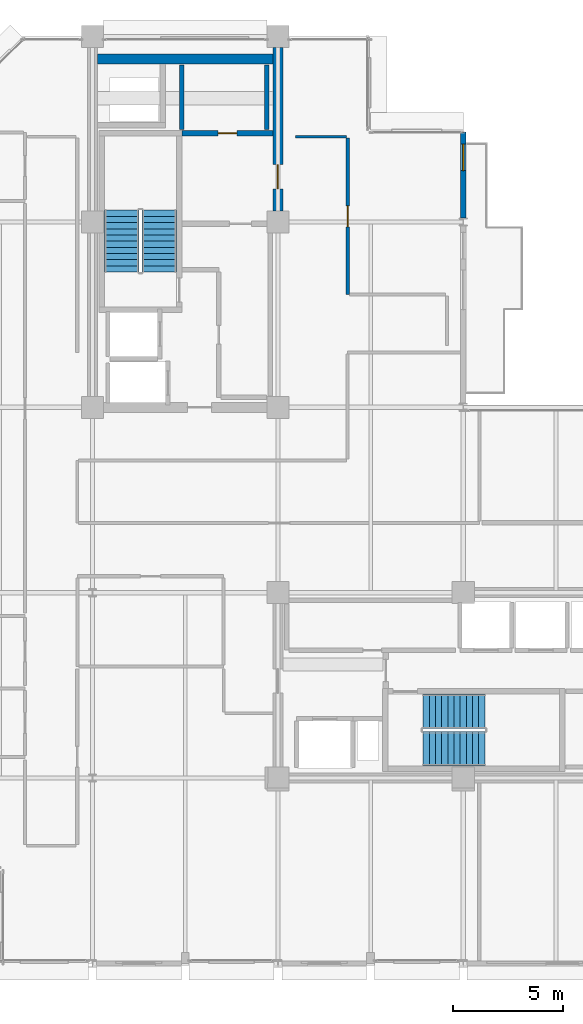
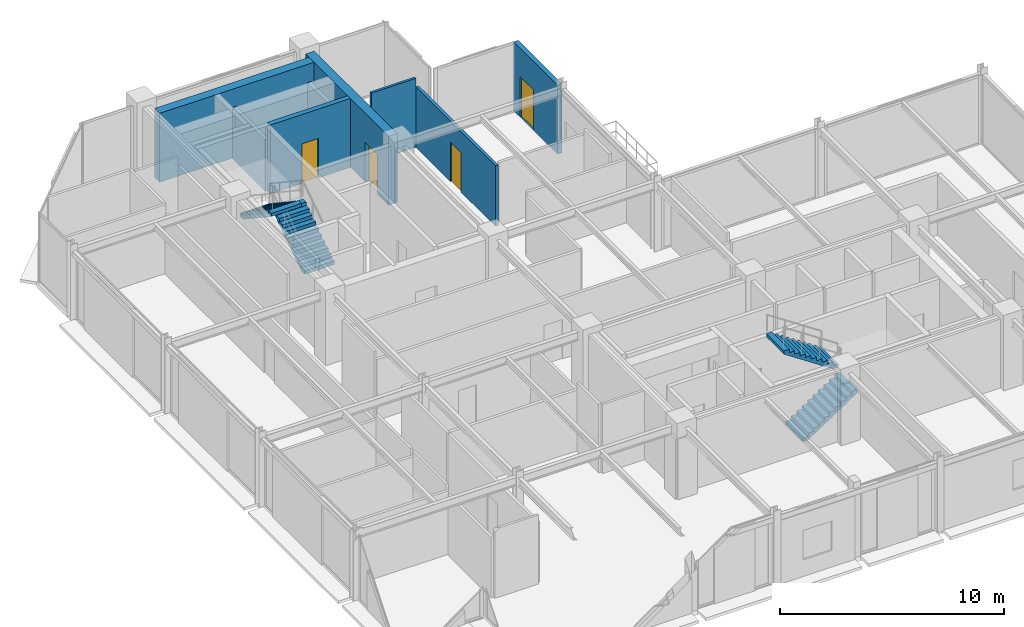
# One storey, part 22 of 26: 8 walls, 4 doors, 4 stair flights, 4 openings, 2 elements without a shape of their own.
"""IFC4 building model written with IfcOpenShell, lengths in metres."""

from ifc_helpers import new_model, si_unit, direction, frame, frame_2d, origin, place, context, subcontext, project, spatial, polyline, rectangle, outline, extrude, material, layer, layer_set, type_object, element, fill, aggregate, save


model = new_model("IFC4")

# Units and contexts
model_context = context("Model", 3, precision=1e-05, world=origin(), true_north=direction((0.0, 1.0)))
body_context = subcontext(model_context, "Body", "Model", "MODEL_VIEW")
ifc_project = project(units=[si_unit("LENGTHUNIT", "METRE"), si_unit("AREAUNIT", "SQUARE_METRE"), si_unit("VOLUMEUNIT", "CUBIC_METRE"), si_unit("PLANEANGLEUNIT", "RADIAN"), si_unit("MASSUNIT", "GRAM", prefix="KILO")], contexts=[model_context])

# Site, building, storey
site_placement = place(None, origin())
site = spatial("IfcSite", under=ifc_project, at=site_placement, CompositionType="ELEMENT")
building_placement = place(site_placement, origin())
building = spatial("IfcBuilding", under=site, at=building_placement, Name="Nerrivon Quay Data Exchange", CompositionType="ELEMENT")
storey_placement = place(building_placement, frame((0.0, 0.0, 241.10009765625)))
storey = spatial("IfcBuildingStorey", under=building, at=storey_placement, Name="L57", CompositionType="ELEMENT", Elevation=241.10009765625)

# Wall, opening, door
ifc_material_1 = material(Name="Architectural terracotta precast concrete N50 (50 MPa)", Category="masonry")
ifc_layer_1 = layer(ifc_material_1, 0.239990234375)
ifc_layer_set_1 = layer_set([ifc_layer_1], Name="Architectural terracotta precast concrete N50 (50 MPa)")
wall_type_1 = type_object("IfcWallType", Name="EW-PREC-240", PredefinedType="STANDARD", material=ifc_layer_set_1)
wall_1_placement = place(storey_placement, frame((25.199951171875, 37.679931640625, 0.0), z_axis=(0.0, 0.0, 1.0), x_axis=(0.0, -1.0, 0.0)))
wall_1 = element("IfcWall", 1, at=wall_1_placement, inside=storey, type_object=wall_type_1, Name="L57 Terrace Host Wall 22", PredefinedType="STANDARD", context=body_context, shape_type="SweptSolid", body=[
    extrude(rectangle(XDim=3.905029296875, YDim=0.239990234375, at=frame_2d((1.95263671875, 0.0))), origin(), (0.0, 0.0, 1.0), 3.75),
])
opening_1_placement = place(wall_1_placement, frame((0.550048828125, 0.0, 0.0)))
opening_1 = element("IfcOpeningElement", 2, at=opening_1_placement, cuts=wall_1, Name="Opening TD1", PredefinedType="OPENING", context=body_context, shape_type="SweptSolid", body=[
    extrude(rectangle(XDim=1.199951171875, YDim=2.199951171875, at=frame_2d((0.60009765625, 1.10009765625))), frame((0.0, 0.1298828125, 0.0), z_axis=(0.0, -1.0, 0.0), x_axis=(1.0, 0.0, 0.0)), (0.0, 0.0, 1.0), 0.260009765625),
])
ifc_material_2 = material(Name="Double-glazed low-E solar control glass", Category="glass")
door_type_1 = type_object("IfcDoorType", Name="DR-TERR-1200x2200", OperationType="NOTDEFINED", PredefinedType="DOOR", material=ifc_material_2)
door_1_placement = place(opening_1_placement, origin())
door_1 = element("IfcDoor", 3, at=door_1_placement, inside=storey, type_object=door_type_1, Name="L57 Outdoor Terrace Access Door 22", OperationType="SINGLE_SWING_LEFT", OverallHeight=2.199951171875, OverallWidth=1.199951171875, PredefinedType="DOOR", context=body_context, shape_type="SweptSolid", body=[
    extrude(rectangle(XDim=1.199951171875, YDim=2.199951171875, at=frame_2d((0.60009765625, 1.10009765625))), frame((0.0, 0.02490234375, 0.0), z_axis=(0.0, -1.0, 0.0), x_axis=(1.0, 0.0, 0.0)), (0.0, 0.0, 1.0), 0.050048828125),
])
fill(opening_1, door_1)

# Wall
ifc_material_3 = material(Name="Concrete N50 (50 MPa)", Category="concrete")
ifc_layer_2 = layer(ifc_material_3, 0.449951171875)
ifc_layer_set_2 = layer_set([ifc_layer_2], Name="Concrete N50 (50 MPa)")
wall_type_2 = type_object("IfcWallType", Name="WALL-CW-550", PredefinedType="SHEAR", material=ifc_layer_set_2)
wall_2_placement = place(storey_placement, frame((8.625, 40.97509765625, 0.0), z_axis=(0.0, 0.0, 1.0), x_axis=(1.0, 0.0, 0.0)))
element("IfcWall", 4, at=wall_2_placement, inside=storey, type_object=wall_type_2, Name="L57 West Split-Core Shear Wall WCW-N1", PredefinedType="SHEAR", context=body_context, shape_type="SweptSolid", body=[
    extrude(rectangle(XDim=7.949951171875, YDim=0.449951171875, at=frame_2d((3.97509765625, 0.0))), origin(), (0.0, 0.0, 1.0), 3.75),
])

# Wall, opening, door
wall_3_placement = place(storey_placement, frame((16.800048828125, 34.10009765625, 0.0), z_axis=(0.0, 0.0, 1.0), x_axis=(0.0, 1.0, 0.0)))
wall_3 = element("IfcWall", 5, at=wall_3_placement, inside=storey, type_object=wall_type_2, Name="L57 West Split-Core Shear Wall WCW-E1", PredefinedType="SHEAR", context=body_context, shape_type="SweptSolid", body=[
    extrude(rectangle(XDim=7.39990234375, YDim=0.449951171875, at=frame_2d((3.699951171875, 0.0))), origin(), (0.0, 0.0, 1.0), 3.75),
])
opening_2_placement = place(wall_3_placement, frame((1.0, 0.0, 0.0)))
opening_2 = element("IfcOpeningElement", 6, at=opening_2_placement, cuts=wall_3, Name="Opening FD-120", PredefinedType="OPENING", context=body_context, shape_type="SweptSolid", body=[
    extrude(rectangle(XDim=1.10009765625, YDim=2.14990234375, at=frame_2d((0.550048828125, 1.074951171875))), frame((0.0, 0.23486328125, 0.0), z_axis=(0.0, -1.0, 0.0), x_axis=(1.0, 0.0, 0.0)), (0.0, 0.0, 1.0), 0.469970703125),
])
ifc_material_4 = material(Name="Powder-coated galvanized steel sheet", Category="steel")
door_type_2 = type_object("IfcDoorType", Name="DR-FD120-1100", OperationType="NOTDEFINED", PredefinedType="DOOR", material=ifc_material_4)
door_2_placement = place(opening_2_placement, origin())
door_2 = element("IfcDoor", 7, at=door_2_placement, inside=storey, type_object=door_type_2, Name="L57 West Core Lobby Fire Door", OperationType="SINGLE_SWING_LEFT", OverallHeight=2.14990234375, OverallWidth=1.10009765625, PredefinedType="DOOR", context=body_context, shape_type="SweptSolid", body=[
    extrude(rectangle(XDim=1.10009765625, YDim=2.14990234375, at=frame_2d((0.550048828125, 1.074951171875))), frame((0.0, 0.02490234375, 0.0), z_axis=(0.0, -1.0, 0.0), x_axis=(1.0, 0.0, 0.0)), (0.0, 0.0, 1.0), 0.050048828125),
])
fill(opening_2, door_2)

# Walls
ifc_material_5 = material(Name="Gypsum plasterboard on cold-formed framing", Category="gypsum")
ifc_layer_3 = layer(ifc_material_5, 0.199951171875)
ifc_layer_set_3 = layer_set([ifc_layer_3], Name="Gypsum plasterboard on cold-formed framing")
wall_type_3 = type_object("IfcWallType", Name="WALL-FW-200", PredefinedType="PARTITIONING", material=ifc_layer_set_3)
for number, where, z_axis, x_axis, name in (
    (8, (16.300048828125, 37.780029296875, 0.0), (0.0, 0.0, 1.0), (0.0, 1.0, 0.0), "L57 Partition Cleaners Store"),
    (9, (12.449951171875, 40.699951171875, 0.0), (0.0, 0.0, 1.0), (0.0, -1.0, 0.0), "L57 Partition Cleaners Store"),
):
    element("IfcWall", number, at=place(storey_placement, frame(where, z_axis=z_axis, x_axis=x_axis)), inside=storey, type_object=wall_type_3, Name=name, PredefinedType="PARTITIONING", context=body_context, shape_type="SweptSolid", body=[
        extrude(rectangle(XDim=2.919921875, YDim=0.199951171875, at=frame_2d((1.4599609375, 0.0))), origin(), (0.0, 0.0, 1.0), 2.7998046875),
    ])
ifc_layer_4 = layer(ifc_material_5, 0.1201171875)
ifc_layer_set_4 = layer_set([ifc_layer_4], Name="Gypsum plasterboard on cold-formed framing")
wall_type_4 = type_object("IfcWallType", Name="WALL-PT-120", PredefinedType="PARTITIONING", material=ifc_layer_set_4)
wall_4_placement = place(storey_placement, frame((17.60009765625, 37.4599609375, 0.0), z_axis=(0.0, 0.0, 1.0), x_axis=(1.0, 0.0, 0.0)))
element("IfcWall", 10, at=wall_4_placement, inside=storey, type_object=wall_type_4, Name="L57 Partition Engineers Lounge", PredefinedType="PARTITIONING", context=body_context, shape_type="SweptSolid", body=[
    extrude(rectangle(XDim=2.2998046875, YDim=0.1201171875, at=frame_2d((1.14990234375, 0.0))), origin(), (0.0, 0.0, 1.0), 3.75),
])

# Wall, opening, door
ifc_layer_5 = layer(ifc_material_5, 0.14990234375)
ifc_layer_set_5 = layer_set([ifc_layer_5], Name="Gypsum plasterboard on cold-formed framing")
wall_type_5 = type_object("IfcWallType", Name="WALL-PT-150", PredefinedType="PARTITIONING", material=ifc_layer_set_5)
wall_5_placement = place(storey_placement, frame((19.9599609375, 37.39990234375, 0.0), z_axis=(0.0, 0.0, 1.0), x_axis=(0.0, -1.0, 0.0)))
wall_5 = element("IfcWall", 11, at=wall_5_placement, inside=storey, type_object=wall_type_5, Name="L57 Partition Engineers Lounge", PredefinedType="PARTITIONING", context=body_context, shape_type="SweptSolid", body=[
    extrude(rectangle(XDim=7.08984375, YDim=0.14990234375, at=frame_2d((3.544921875, 0.0))), origin(), (0.0, 0.0, 1.0), 3.289794921875),
])
opening_3_placement = place(wall_5_placement, frame((3.070068359375, 0.0, 0.0)))
opening_3 = element("IfcOpeningElement", 12, at=opening_3_placement, cuts=wall_5, Name="Opening D-01", PredefinedType="OPENING", context=body_context, shape_type="SweptSolid", body=[
    extrude(rectangle(XDim=0.949951171875, YDim=2.14990234375, at=frame_2d((0.47509765625, 1.074951171875))), frame((0.0, 0.0849609375, 0.0), z_axis=(0.0, -1.0, 0.0), x_axis=(1.0, 0.0, 0.0)), (0.0, 0.0, 1.0), 0.169921875),
])
ifc_material_6 = material(Name="Engineered hardwood timber", Category="wood")
door_type_3 = type_object("IfcDoorType", Name="DR-INT-950", OperationType="NOTDEFINED", PredefinedType="DOOR", material=ifc_material_6)
door_3_placement = place(opening_3_placement, origin())
door_3 = element("IfcDoor", 13, at=door_3_placement, inside=storey, type_object=door_type_3, Name="L57 Door Engineers Lounge", OperationType="SINGLE_SWING_RIGHT", OverallHeight=2.14990234375, OverallWidth=0.949951171875, PredefinedType="DOOR", context=body_context, shape_type="SweptSolid", body=[
    extrude(rectangle(XDim=0.949951171875, YDim=2.14990234375, at=frame_2d((0.47509765625, 1.074951171875))), frame((0.0, 0.02490234375, 0.0), z_axis=(0.0, -1.0, 0.0), x_axis=(1.0, 0.0, 0.0)), (0.0, 0.0, 1.0), 0.050048828125),
])
fill(opening_3, door_3)

ifc_layer_6 = layer(ifc_material_3, 0.25)
ifc_layer_set_6 = layer_set([ifc_layer_6], Name="Concrete N50 (50 MPa)")
wall_type_6 = type_object("IfcWallType", Name="WALL-SW-250", PredefinedType="SHEAR", material=ifc_layer_set_6)
wall_6_placement = place(storey_placement, frame((12.449951171875, 37.625, 0.0), z_axis=(0.0, 0.0, 1.0), x_axis=(1.0, 0.0, 0.0)))
wall_6 = element("IfcWall", 14, at=wall_6_placement, inside=storey, type_object=wall_type_6, Name="L57 West Firefighting Lobby Wall", PredefinedType="SHEAR", context=body_context, shape_type="SweptSolid", body=[
    extrude(rectangle(XDim=4.125, YDim=0.25, at=frame_2d((2.0625, 0.0))), origin(), (0.0, 0.0, 1.0), 3.75),
])
opening_4_placement = place(wall_6_placement, frame((1.637451171875, 0.0, 0.0)))
opening_4 = element("IfcOpeningElement", 15, at=opening_4_placement, cuts=wall_6, Name="Opening FD-60S", PredefinedType="OPENING", context=body_context, shape_type="SweptSolid", body=[
    extrude(rectangle(XDim=0.85009765625, YDim=2.14990234375, at=frame_2d((0.425048828125, 1.074951171875))), frame((0.0, 0.135009765625, 0.0), z_axis=(0.0, -1.0, 0.0), x_axis=(1.0, 0.0, 0.0)), (0.0, 0.0, 1.0), 0.27001953125),
])
door_type_4 = type_object("IfcDoorType", Name="DR-FD60-850", OperationType="NOTDEFINED", PredefinedType="DOOR", material=ifc_material_6)
door_4_placement = place(opening_4_placement, origin())
door_4 = element("IfcDoor", 16, at=door_4_placement, inside=storey, type_object=door_type_4, Name="L57 Door Cleaners Store", OperationType="SINGLE_SWING_RIGHT", OverallHeight=2.14990234375, OverallWidth=0.85009765625, PredefinedType="DOOR", context=body_context, shape_type="SweptSolid", body=[
    extrude(rectangle(XDim=0.85009765625, YDim=2.14990234375, at=frame_2d((0.425048828125, 1.074951171875))), frame((0.0, 0.02490234375, 0.0), z_axis=(0.0, -1.0, 0.0), x_axis=(1.0, 0.0, 0.0)), (0.0, 0.0, 1.0), 0.050048828125),
])
fill(opening_4, door_4)

# Stair, stair flights
stair_type = type_object("IfcStairType", Name="STAIR-DOG-41", PredefinedType="HALF_TURN_STAIR", material=ifc_material_3)
stair_1_placement = place(storey_placement, origin())
stair_1 = element("IfcStair", 17, at=stair_1_placement, inside=storey, type_object=stair_type, Name="L57 West Core Fire Stair ST01", PredefinedType="HALF_TURN_STAIR")
stair_flight_type = type_object("IfcStairFlightType", Name="FLIGHT-DOG-41", PredefinedType="STRAIGHT", material=ifc_material_3)
stair_flight_1_placement = place(storey_placement, frame((11.425048828125, 31.330078125, 0.0), z_axis=(0.0, 0.0, 1.0), x_axis=(0.0, 1.0, 0.0)))
stair_flight_1 = element("IfcStairFlight", 18, at=stair_flight_1_placement, type_object=stair_flight_type, Name="ST01 flight 1", NumberOfRisers=11, NumberOfTreads=10, PredefinedType="STRAIGHT", RiserHeight=0.186363636, TreadLength=0.28, context=body_context, shape_type="SweptSolid", body=[
    extrude(outline(polyline([(0.0, 0.0), (0.0, 0.186279296875), (0.280029296875, 0.186279296875), (0.280029296875, 0.372802734375), (0.56005859375, 0.372802734375), (0.56005859375, 0.55908203125), (0.840087890625, 0.55908203125), (0.840087890625, 0.745361328125), (1.1201171875, 0.745361328125), (1.1201171875, 0.931884765625), (1.39990234375, 0.931884765625), (1.39990234375, 1.1181640625), (1.679931640625, 1.1181640625), (1.679931640625, 1.304443359375), (1.9599609375, 1.304443359375), (1.9599609375, 1.490966796875), (2.239990234375, 1.490966796875), (2.239990234375, 1.67724609375), (2.52001953125, 1.67724609375), (2.52001953125, 1.863525390625), (2.800048828125, 1.863525390625), (2.800048828125, 2.050048828125), (2.800048828125, 1.68359375), (0.2705078125, 0.0), (0.0, 0.0)])), frame((0.0, 0.77490234375, 0.0), z_axis=(0.0, -1.0, 0.0), x_axis=(1.0, 0.0, 0.0)), (0.0, 0.0, 1.0), 1.550048828125),
])
stair_flight_2_placement = place(storey_placement, frame((9.72509765625, 34.1298828125, 2.0498046875), z_axis=(0.0, 0.0, 1.0), x_axis=(0.0, -1.0, 0.0)))
stair_flight_2 = element("IfcStairFlight", 19, at=stair_flight_2_placement, type_object=stair_flight_type, Name="ST01 flight 2", NumberOfRisers=11, NumberOfTreads=10, PredefinedType="STRAIGHT", RiserHeight=0.186363636, TreadLength=0.28, context=body_context, shape_type="SweptSolid", body=[
    extrude(outline(polyline([(0.0, 0.0), (0.0, 0.186279296875), (0.280029296875, 0.186279296875), (0.280029296875, 0.372802734375), (0.56005859375, 0.372802734375), (0.56005859375, 0.55908203125), (0.840087890625, 0.55908203125), (0.840087890625, 0.745361328125), (1.1201171875, 0.745361328125), (1.1201171875, 0.931884765625), (1.39990234375, 0.931884765625), (1.39990234375, 1.1181640625), (1.679931640625, 1.1181640625), (1.679931640625, 1.304443359375), (1.9599609375, 1.304443359375), (1.9599609375, 1.490966796875), (2.239990234375, 1.490966796875), (2.239990234375, 1.67724609375), (2.52001953125, 1.67724609375), (2.52001953125, 1.863525390625), (2.800048828125, 1.863525390625), (2.800048828125, 2.050048828125), (2.800048828125, 1.68359375), (0.2705078125, 0.0), (0.0, 0.0)])), frame((0.0, 0.77490234375, 0.0), z_axis=(0.0, -1.0, 0.0), x_axis=(1.0, 0.0, 0.0)), (0.0, 0.0, 1.0), 1.550048828125),
])
aggregate(stair_1, [stair_flight_1, stair_flight_2])

stair_2_placement = place(storey_placement, origin())
stair_2 = element("IfcStair", 20, at=stair_2_placement, inside=storey, type_object=stair_type, Name="L57 East Core Fire Stair ST02", PredefinedType="HALF_TURN_STAIR")
stair_flight_3_placement = place(storey_placement, frame((23.3798828125, 9.72509765625, 0.0), z_axis=(0.0, 0.0, 1.0), x_axis=(1.0, 0.0, 0.0)))
stair_flight_3 = element("IfcStairFlight", 21, at=stair_flight_3_placement, type_object=stair_flight_type, Name="ST02 flight 1", NumberOfRisers=11, NumberOfTreads=10, PredefinedType="STRAIGHT", RiserHeight=0.186363636, TreadLength=0.28, context=body_context, shape_type="SweptSolid", body=[
    extrude(outline(polyline([(0.0, 0.0), (0.0, 0.186279296875), (0.280029296875, 0.186279296875), (0.280029296875, 0.372802734375), (0.56005859375, 0.372802734375), (0.56005859375, 0.55908203125), (0.840087890625, 0.55908203125), (0.840087890625, 0.745361328125), (1.1201171875, 0.745361328125), (1.1201171875, 0.931884765625), (1.39990234375, 0.931884765625), (1.39990234375, 1.1181640625), (1.679931640625, 1.1181640625), (1.679931640625, 1.304443359375), (1.9599609375, 1.304443359375), (1.9599609375, 1.490966796875), (2.239990234375, 1.490966796875), (2.239990234375, 1.67724609375), (2.52001953125, 1.67724609375), (2.52001953125, 1.863525390625), (2.800048828125, 1.863525390625), (2.800048828125, 2.050048828125), (2.800048828125, 1.68359375), (0.2705078125, 0.0), (0.0, 0.0)])), frame((0.0, 0.77490234375, 0.0), z_axis=(0.0, -1.0, 0.0), x_axis=(1.0, 0.0, 0.0)), (0.0, 0.0, 1.0), 1.550048828125),
])
stair_flight_4_placement = place(storey_placement, frame((26.179931640625, 11.425048828125, 2.0498046875), z_axis=(0.0, 0.0, 1.0), x_axis=(-1.0, 0.0, 0.0)))
stair_flight_4 = element("IfcStairFlight", 22, at=stair_flight_4_placement, type_object=stair_flight_type, Name="ST02 flight 2", NumberOfRisers=11, NumberOfTreads=10, PredefinedType="STRAIGHT", RiserHeight=0.186363636, TreadLength=0.28, context=body_context, shape_type="SweptSolid", body=[
    extrude(outline(polyline([(0.0, 0.0), (0.0, 0.186279296875), (0.280029296875, 0.186279296875), (0.280029296875, 0.372802734375), (0.56005859375, 0.372802734375), (0.56005859375, 0.55908203125), (0.840087890625, 0.55908203125), (0.840087890625, 0.745361328125), (1.1201171875, 0.745361328125), (1.1201171875, 0.931884765625), (1.39990234375, 0.931884765625), (1.39990234375, 1.1181640625), (1.679931640625, 1.1181640625), (1.679931640625, 1.304443359375), (1.9599609375, 1.304443359375), (1.9599609375, 1.490966796875), (2.239990234375, 1.490966796875), (2.239990234375, 1.67724609375), (2.52001953125, 1.67724609375), (2.52001953125, 1.863525390625), (2.800048828125, 1.863525390625), (2.800048828125, 2.050048828125), (2.800048828125, 1.68359375), (0.2705078125, 0.0), (0.0, 0.0)])), frame((0.0, 0.77490234375, 0.0), z_axis=(0.0, -1.0, 0.0), x_axis=(1.0, 0.0, 0.0)), (0.0, 0.0, 1.0), 1.550048828125),
])
aggregate(stair_2, [stair_flight_3, stair_flight_4])

save(model, "model.ifc")
